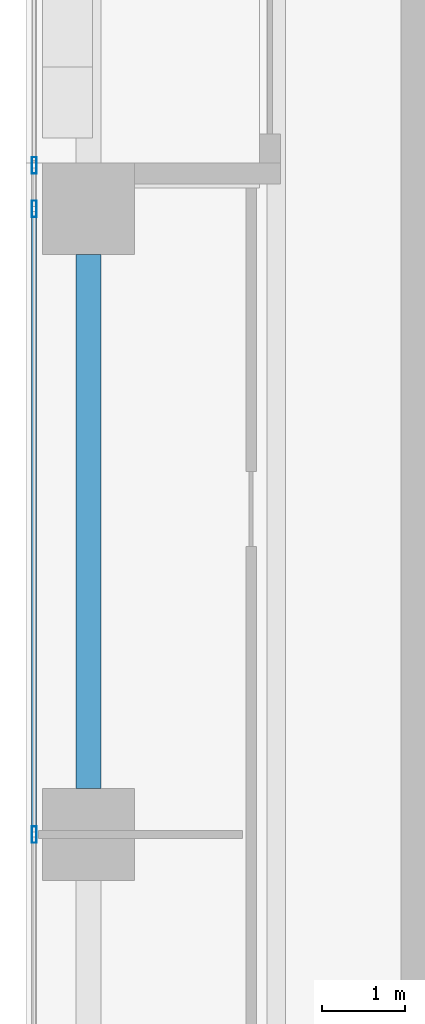
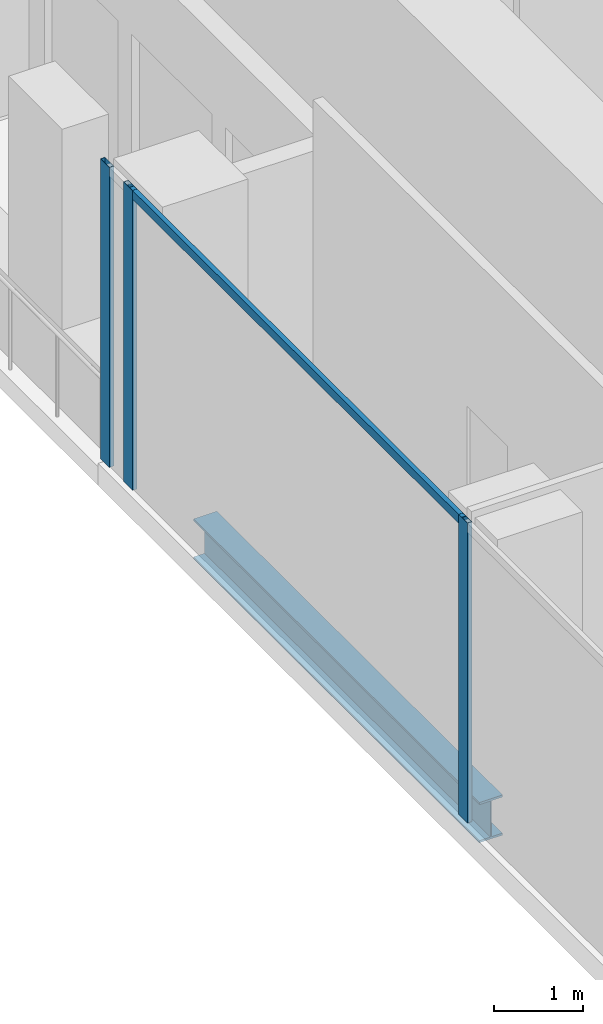
# One storey, part 7 of 35: 4 members, 1 beam, 1 element without a shape of its own.
"""IFC4 building model written with IfcOpenShell, lengths in metres."""

from ifc_helpers import new_model, si_unit, direction, frame, origin, origin_2d, place, context, subcontext, project, spatial, hollow_rectangle, i_section, extrude, source, transform, mapped, material, material_profile, profile_set, type_object, element, aggregate, save


model = new_model("IFC4")

# Units and contexts
model_context = context("Model", 3, precision=1e-05, world=origin(), true_north=direction((0.0, 1.0)))
body_context = subcontext(model_context, "Body", "Model", "MODEL_VIEW")
ifc_project = project(units=[si_unit("LENGTHUNIT", "METRE"), si_unit("AREAUNIT", "SQUARE_METRE"), si_unit("VOLUMEUNIT", "CUBIC_METRE"), si_unit("PLANEANGLEUNIT", "RADIAN"), si_unit("MASSUNIT", "GRAM", prefix="KILO")], contexts=[model_context])

# Site, building, storey
site_placement = place(None, origin())
site = spatial("IfcSite", under=ifc_project, at=site_placement, CompositionType="ELEMENT")
building_placement = place(site_placement, origin())
building = spatial("IfcBuilding", under=site, at=building_placement, Name="Khomas Fold Tower", CompositionType="ELEMENT")
storey_placement = place(building_placement, frame((0.0, 0.0, 136.699951171875)))
storey = spatial("IfcBuildingStorey", under=building, at=storey_placement, Name="L29", CompositionType="ELEMENT", Elevation=136.699951171875)

# Beam
ifc_material_1 = material(Name="Steel S355", Category="steel")
ifc_material_profile_1 = material_profile(ifc_material_1, i_section(OverallWidth=0.300048828125, OverallDepth=0.550048828125, WebThickness=0.014892578125, FlangeThickness=0.029052734375, at=origin_2d()), Name="HE 550 B")
ifc_profile_set_1 = profile_set([ifc_material_profile_1], Name="Steel S355")
beam_type = type_object("IfcBeamType", Name="HE 550 B spandrel SB2", PredefinedType="SPANDREL", material=ifc_profile_set_1)
shared_shape_1 = source(origin(), body_context, "Body", "SweptSolid", [
    extrude(i_section(OverallWidth=0.300048828125, OverallDepth=0.550048828125, WebThickness=0.014892578125, FlangeThickness=0.029052734375, at=origin_2d()), origin(), (0.0, 0.0, 1.0), 6.39990234375),
])
beam_placement = place(storey_placement, frame((2.25, 20.050048828125, -0.574951171875), z_axis=(0.0, 1.0, 0.0), x_axis=(-1.0, 0.0, 0.0)))
element("IfcBeam", 1, at=beam_placement, inside=storey, type_object=beam_type, Name="SB2", PredefinedType="SPANDREL", context=body_context, shape_type="MappedRepresentation", body=[
    mapped(shared_shape_1, transform((0.0, 0.0, 0.0))),
])

# Curtain wall, members
ifc_material_2 = material(Name="Aluminium framed double glazing", Category="aluminium")
curtain_wall_type = type_object("IfcCurtainWallType", Name="SK-Unitised clear-glass wall, growing floors CW1", PredefinedType="NOTDEFINED", material=ifc_material_2)
curtain_wall_placement = place(storey_placement, origin())
curtain_wall = element("IfcCurtainWall", 2, at=curtain_wall_placement, inside=storey, type_object=curtain_wall_type, Name="CW1 run L29 09-1", PredefinedType="NOTDEFINED")
ifc_material_3 = material(Name="Aluminium", Category="aluminium")
ifc_material_profile_2 = material_profile(ifc_material_3, hollow_rectangle(XDim=0.06005859375, YDim=0.1201171875, WallThickness=0.00390625, at=origin_2d()), Name="SK-Unitised clear-glass wall, growing floors transom CW1-T")
ifc_profile_set_2 = profile_set([ifc_material_profile_2], Name="Aluminium")
member_type_1 = type_object("IfcMemberType", Name="SK-Unitised clear-glass wall, growing floors transom CW1-T", PredefinedType="USERDEFINED", material=ifc_profile_set_2)
shared_shape_2 = source(origin(), body_context, "Body", "SweptSolid", [
    extrude(hollow_rectangle(XDim=0.06005859375, YDim=0.1201171875, WallThickness=0.00390625, at=origin_2d()), origin(), (0.0, 0.0, 1.0), 7.43994140625),
])
member_1_placement = place(storey_placement, frame((1.60009765625, 26.969970703125, 4.0400390625), z_axis=(0.0, -1.0, 0.0), x_axis=(1.0, 0.0, 0.0)))
member_1 = element("IfcMember", 3, at=member_1_placement, type_object=member_type_1, Name="CW1 transom 2", ObjectType="TRANSOM", PredefinedType="USERDEFINED", context=body_context, shape_type="MappedRepresentation", body=[
    mapped(shared_shape_2, transform((0.0, 0.0, 0.0))),
])
ifc_material_4 = material(Name="Aluminium", Category="aluminium")
ifc_material_profile_3 = material_profile(ifc_material_4, hollow_rectangle(XDim=0.06005859375, YDim=0.199951171875, WallThickness=0.00390625, at=origin_2d()), Name="SK-Unitised clear-glass wall, growing floors mullion CW1-M")
ifc_profile_set_3 = profile_set([ifc_material_profile_3], Name="Aluminium")
member_type_2 = type_object("IfcMemberType", Name="SK-Unitised clear-glass wall, growing floors mullion CW1-M", PredefinedType="MULLION", material=ifc_profile_set_3)
shared_shape_3 = source(origin(), body_context, "Body", "SweptSolid", [
    extrude(hollow_rectangle(XDim=0.06005859375, YDim=0.199951171875, WallThickness=0.00390625, at=origin_2d()), origin(), (0.0, 0.0, 1.0), 4.10009765625),
])
member_2_placement = place(storey_placement, frame((1.60009765625, 27.52001953125, 0.0), z_axis=(0.0, 0.0, 1.0), x_axis=(1.0, 0.0, 0.0)))
member_2 = element("IfcMember", 4, at=member_2_placement, type_object=member_type_2, Name="CW1 mullion 1", PredefinedType="MULLION", context=body_context, shape_type="MappedRepresentation", body=[
    mapped(shared_shape_3, transform((0.0, 0.0, 0.0))),
])
member_3_placement = place(storey_placement, frame((1.60009765625, 27.0, 0.0), z_axis=(0.0, 0.0, 1.0), x_axis=(1.0, 0.0, 0.0)))
member_3 = element("IfcMember", 5, at=member_3_placement, type_object=member_type_2, Name="CW1 mullion 2", PredefinedType="MULLION", context=body_context, shape_type="MappedRepresentation", body=[
    mapped(shared_shape_3, transform((0.0, 0.0, 0.0))),
])
member_4_placement = place(storey_placement, frame((1.60009765625, 19.5, 0.0), z_axis=(0.0, 0.0, 1.0), x_axis=(1.0, 0.0, 0.0)))
member_4 = element("IfcMember", 6, at=member_4_placement, type_object=member_type_2, Name="CW1 mullion 3", PredefinedType="MULLION", context=body_context, shape_type="MappedRepresentation", body=[
    mapped(shared_shape_3, transform((0.0, 0.0, 0.0))),
])
aggregate(curtain_wall, [member_2, member_3, member_4, member_1])

save(model, "model.ifc")
